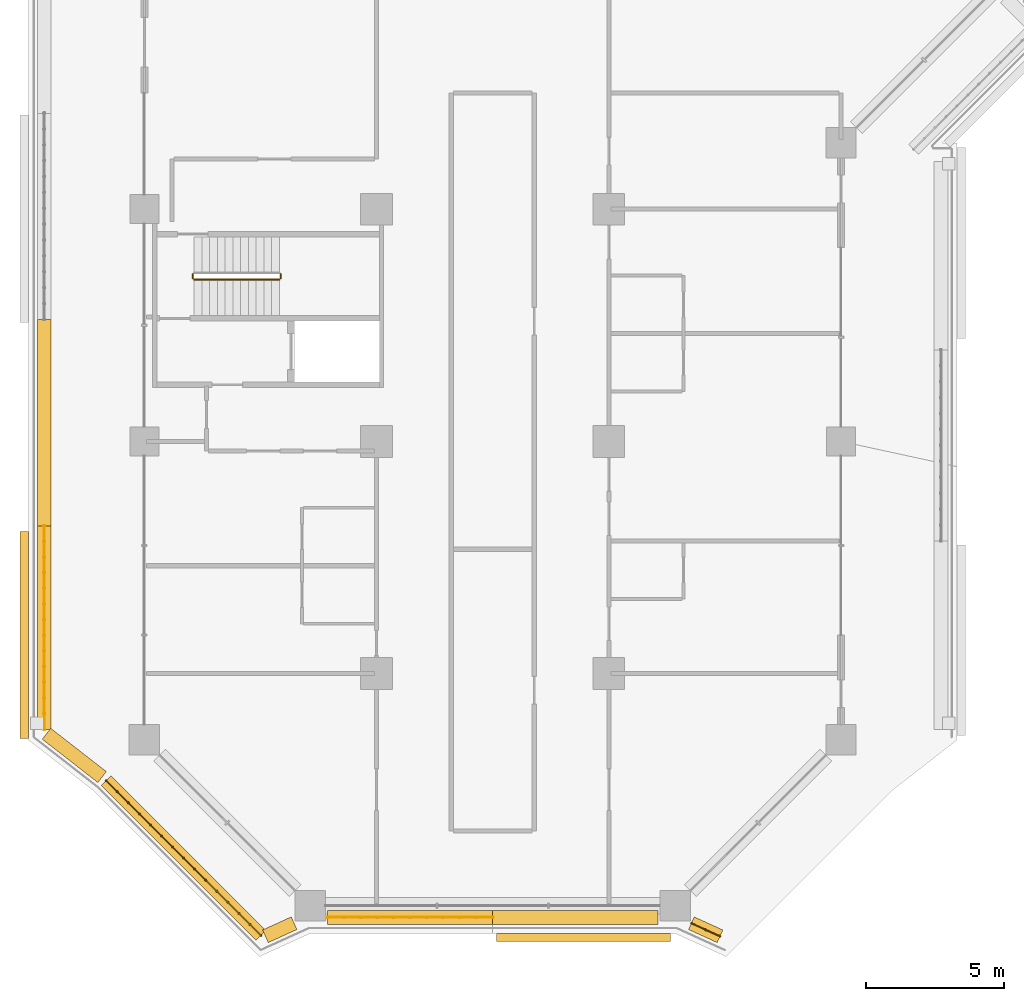
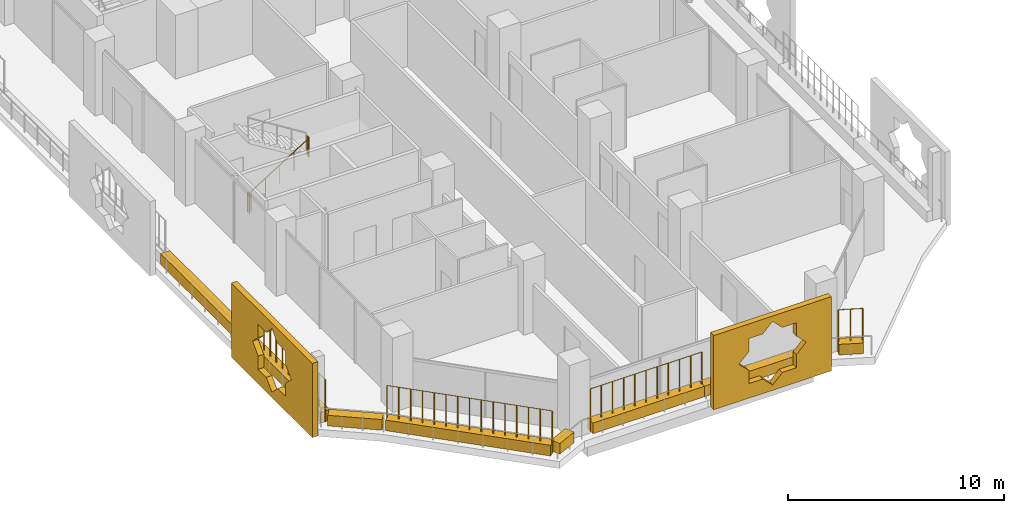
# One storey, part 19 of 25: 10 coverings, 7 railings.
"""IFC4 building model written with IfcOpenShell, lengths in metres."""

import ifcopenshell
import ifcopenshell.guid

model = None  # the IFC model being written
_history = None  # IfcOwnerHistory: only IFC2X3 demands one
_inside = {}  # id of a spatial element -> (the spatial element, [elements in it])
_under = {}  # id of a project, library or spatial element -> (it, [spatial elements below it])
_declared = {}  # id of a project -> (the project, [libraries it declares])
_typed = {}  # id of a type object -> (the type object, [elements of that type])
_made_of = {}  # id of a material, layer set ... -> (it, [elements and type objects made of it])


def new_model(schema):
    """Start an empty IFC model of exactly this schema.

    Asked for "IFC4X3", IfcOpenShell would pick the latest addendum, in which some entities
    have other attributes; the version numbers below select the first issue.
    IFC2X3 requires an IfcOwnerHistory on every rooted entity: one is made here for all.
    """
    global model, _history
    if schema == "IFC4X3":
        model = ifcopenshell.file(schema_version=(4, 3, 0, 0))
    else:
        model = ifcopenshell.file(schema=schema)
    _inside.clear()
    _under.clear()
    _declared.clear()
    _typed.clear()
    _made_of.clear()
    _history = None
    if model.schema == "IFC2X3":
        org = make("IfcOrganization", Name="unknown")
        user = make(
            "IfcPersonAndOrganization",
            ThePerson=make("IfcPerson", FamilyName="unknown"),
            TheOrganization=org,
        )
        app = make(
            "IfcApplication",
            ApplicationDeveloper=org,
            Version="unknown",
            ApplicationFullName="unknown",
            ApplicationIdentifier="unknown",
        )
        _history = make(
            "IfcOwnerHistory",
            OwningUser=user,
            OwningApplication=app,
            ChangeAction="ADDED",
            CreationDate=0,
        )
    return model


def make(cls, **values):
    """One entity of the class cls with the attributes given. An attribute that is None is left unset."""
    return model.create_entity(
        cls, **{name: value for name, value in values.items() if value is not None}
    )


def rooted(cls, **values):
    """An entity with a GlobalId (a new one), such as an element, a storey or a relation."""
    return make(cls, GlobalId=ifcopenshell.guid.new(), OwnerHistory=_history, **values)


def si_unit(unit_type, name, prefix=None):
    """IfcSIUnit, for example si_unit("LENGTHUNIT", "METRE", prefix="MILLI")."""
    return make("IfcSIUnit", UnitType=unit_type, Prefix=prefix, Name=name)


def assignment(units):
    """IfcUnitAssignment: the units of a project."""
    return None if units is None else make("IfcUnitAssignment", Units=units)


def point(xyz):
    """IfcCartesianPoint."""
    return None if xyz is None else make("IfcCartesianPoint", Coordinates=xyz)


def direction(xyz):
    """IfcDirection."""
    return None if xyz is None else make("IfcDirection", DirectionRatios=xyz)


def frame(location, z_axis=None, x_axis=None):
    """IfcAxis2Placement3D, a coordinate frame: its origin and axes. An axis left out is left unset."""
    return make(
        "IfcAxis2Placement3D",
        Location=point(location),
        Axis=direction(z_axis),
        RefDirection=direction(x_axis),
    )


def frame_2d(location, x_axis=None):
    """IfcAxis2Placement2D, a coordinate frame in the plane: its origin and x axis."""
    return make(
        "IfcAxis2Placement2D", Location=point(location), RefDirection=direction(x_axis)
    )


def origin():
    """The frame at (0, 0, 0) with its axes left unset."""
    return frame((0.0, 0.0, 0.0))


def origin_2d():
    """The frame at (0, 0) in the plane with its x axis left unset."""
    return frame_2d((0.0, 0.0))


def place(relative_to, where):
    """IfcLocalPlacement: puts the frame where relative to a parent placement (None: the world)."""
    return make(
        "IfcLocalPlacement", PlacementRelTo=relative_to, RelativePlacement=where
    )


def context(
    kind, dimensions, precision=None, world=None, true_north=None, identifier=None
):
    """IfcGeometricRepresentationContext, for example the 3D "Model" context."""
    return make(
        "IfcGeometricRepresentationContext",
        ContextIdentifier=identifier,
        ContextType=kind,
        CoordinateSpaceDimension=dimensions,
        Precision=precision,
        WorldCoordinateSystem=world,
        TrueNorth=true_north,
    )


def subcontext(parent, identifier, kind, view, scale=None):
    """IfcGeometricRepresentationSubContext, for example "Body" below "Model"."""
    return make(
        "IfcGeometricRepresentationSubContext",
        ContextIdentifier=identifier,
        ContextType=kind,
        ParentContext=parent,
        TargetScale=scale,
        TargetView=view,
    )


def project(units=None, contexts=None):
    """IfcProject with its units and contexts."""
    return rooted(
        "IfcProject",
        Name="project",
        RepresentationContexts=contexts,
        UnitsInContext=assignment(units),
    )


def spatial(cls, under=None, at=None, **own):
    """A site, building, storey or space (cls), placed at a placement, below another one or the project."""
    s = rooted(cls, ObjectPlacement=at, **own)
    if under is not None:
        _under.setdefault(under.id(), (under, []))[1].append(s)
    return s


def polyline(points):
    """IfcPolyline through the points."""
    return make("IfcPolyline", Points=[point(p) for p in points])


def profile(cls, at=None, kind="AREA", **sizes):
    """A parametric profile (cls). Its sizes go by their IFC names, for example OverallWidth=200.0."""
    return make(cls, ProfileType=kind, Position=at, **sizes)


def rectangle(**sizes):
    """IfcRectangleProfileDef."""
    return profile("IfcRectangleProfileDef", **sizes)


def circle(**sizes):
    """IfcCircleProfileDef."""
    return profile("IfcCircleProfileDef", **sizes)


def outline(outer, holes=None, kind="AREA"):
    """IfcArbitraryClosedProfileDef: a profile drawn as a closed curve; with holes, ...WithVoids."""
    if holes is None:
        return make("IfcArbitraryClosedProfileDef", ProfileType=kind, OuterCurve=outer)
    return make(
        "IfcArbitraryProfileDefWithVoids",
        ProfileType=kind,
        OuterCurve=outer,
        InnerCurves=holes,
    )


def extrude(swept, where, along, depth):
    """IfcExtrudedAreaSolid: the profile swept, set in the frame where, extruded along a direction by depth."""
    return make(
        "IfcExtrudedAreaSolid",
        SweptArea=swept,
        Position=where,
        ExtrudedDirection=direction(along),
        Depth=depth,
    )


def shape(context_of_items, identifier, shape_type, items):
    """IfcShapeRepresentation: the items that make up one representation, for example the "Body"."""
    return make(
        "IfcShapeRepresentation",
        ContextOfItems=context_of_items,
        RepresentationIdentifier=identifier,
        RepresentationType=shape_type,
        Items=items,
    )


def material(Name=None, Category=None):
    """IfcMaterial."""
    return make("IfcMaterial", Name=Name, Category=Category)


def material_profile(
    of_material, cross_section, Name=None, Category=None, Priority=None
):
    """IfcMaterialProfile: a cross section and its material."""
    return make(
        "IfcMaterialProfile",
        Name=Name,
        Material=of_material,
        Profile=cross_section,
        Priority=Priority,
        Category=Category,
    )


def profile_set(profiles, Name=None, composite=None):
    """IfcMaterialProfileSet."""
    return make(
        "IfcMaterialProfileSet",
        Name=Name,
        MaterialProfiles=profiles,
        CompositeProfile=composite,
    )


def made_of(thing, what):
    """Note that an element or type object is made of a material, layer set ...; save() writes the relation."""
    if what is not None:
        _made_of.setdefault(what.id(), (what, []))[1].append(thing)
    return thing


def type_object(cls, material=None, **own):
    """A type object (cls), such as IfcWallType, which elements share."""
    return made_of(rooted(cls, **own), material)


def element(
    cls,
    number,
    at=None,
    inside=None,
    cuts=None,
    type_object=None,
    material=None,
    context=None,
    identifier="Body",
    shape_type=None,
    held_by="IfcProductDefinitionShape",
    body=None,
    shapes=None,
    **own,
):
    """One element of the class cls, such as IfcWall. Its Tag is "e" and its number.

    at: its placement. inside: the storey or other place that contains it. cuts: it is an
    opening in that element (IfcRelVoidsElement). A single representation is given by context,
    identifier, shape_type and body (its items); several are given by shapes. held_by: the class
    of the entity that holds the representations. save() writes the other relations.
    """
    e = rooted(cls, Tag="e%d" % number, ObjectPlacement=at, **own)
    if body is not None:
        shapes = [shape(context, identifier, shape_type, body)]
    if shapes is not None:
        e.Representation = make(held_by, Representations=shapes)
    if inside is not None:
        _inside.setdefault(inside.id(), (inside, []))[1].append(e)
    if cuts is not None:
        rooted(
            "IfcRelVoidsElement", RelatingBuildingElement=cuts, RelatedOpeningElement=e
        )
    if type_object is not None:
        _typed.setdefault(type_object.id(), (type_object, []))[1].append(e)
    return made_of(e, material)


def aggregate(whole, parts):
    """IfcRelAggregates: a whole, such as a stair, and the parts it consists of."""
    return rooted("IfcRelAggregates", RelatingObject=whole, RelatedObjects=parts)


def save(model, path):
    """Write the relations noted so far, then the file.

    IfcRelAggregates (storeys below a building ...), IfcRelContainedInSpatialStructure (elements
    in a storey), IfcRelDefinesByType, IfcRelAssociatesMaterial and IfcRelDeclares: one each for
    every whole, place, type object, material and project.
    """
    for whole, parts in _under.values():
        aggregate(whole, parts)
    for where, things in _inside.values():
        rooted(
            "IfcRelContainedInSpatialStructure",
            RelatedElements=things,
            RelatingStructure=where,
        )
    for kind, things in _typed.values():
        rooted("IfcRelDefinesByType", RelatedObjects=things, RelatingType=kind)
    for what, things in _made_of.values():
        rooted("IfcRelAssociatesMaterial", RelatedObjects=things, RelatingMaterial=what)
    for by, libraries in _declared.values():
        rooted("IfcRelDeclares", RelatingContext=by, RelatedDefinitions=libraries)
    model.write(path)


model = new_model("IFC4")

# Units and contexts
model_context = context("Model", 3, precision=1e-05, world=origin(), true_north=direction((0.0, 1.0)))
body_context = subcontext(model_context, "Body", "Model", "MODEL_VIEW")
ifc_project = project(units=[si_unit("LENGTHUNIT", "METRE"), si_unit("AREAUNIT", "SQUARE_METRE"), si_unit("VOLUMEUNIT", "CUBIC_METRE"), si_unit("PLANEANGLEUNIT", "RADIAN"), si_unit("MASSUNIT", "GRAM", prefix="KILO")], contexts=[model_context])

# Site, building, storey
site_placement = place(None, origin())
site = spatial("IfcSite", under=ifc_project, at=site_placement, CompositionType="ELEMENT")
building_placement = place(site_placement, origin())
building = spatial("IfcBuilding", under=site, at=building_placement, Name="Kawkab Arch Medical Tower", CompositionType="ELEMENT")
storey_placement = place(building_placement, frame((0.0, 0.0, 132.39990234375)))
storey = spatial("IfcBuildingStorey", under=building, at=storey_placement, Name="L30", CompositionType="ELEMENT", Elevation=132.39990234375)

# Coverings
ifc_material_1 = material(Name="Bronze anodised aluminium mashrabiya panel, eight-point star pattern", Category="aluminium")
ifc_material_profile_1 = material_profile(ifc_material_1, outline(polyline([(-3.14990234375, -2.10009765625), (3.14990234375, -2.10009765625), (3.14990234375, 2.10009765625), (-3.14990234375, 2.10009765625), (-3.14990234375, -2.10009765625)]), holes=[polyline([(1.800048828125, 0.0), (1.272705078125, 0.527099609375), (1.272705078125, 1.272705078125), (0.527099609375, 1.272705078125), (0.0, 1.800048828125), (-0.527099609375, 1.272705078125), (-1.272705078125, 1.272705078125), (-1.272705078125, 0.527099609375), (-1.800048828125, 0.0), (-1.272705078125, -0.527099609375), (-1.272705078125, -1.272705078125), (-0.527099609375, -1.272705078125), (0.0, -1.800048828125), (0.527099609375, -1.272705078125), (1.272705078125, -1.272705078125), (1.272705078125, -0.527099609375), (1.800048828125, 0.0)])]), Name="Mashrabiya panel 6300x4200")
ifc_profile_set_1 = profile_set([ifc_material_profile_1], Name="Bronze anodised aluminium mashrabiya panel, eight-point star pattern")
covering_type_1 = type_object("IfcCoveringType", Name="Mashrabiya panel 6300 x 4200", PredefinedType="USERDEFINED", material=ifc_profile_set_1)
covering_1_placement = place(storey_placement, frame((15.881103515625, -59.800048828125, 1.7001953125), z_axis=(0.0, -1.0, 0.0), x_axis=(1.0, 0.0, 0.0)))
element("IfcCovering", 1, at=covering_1_placement, inside=storey, type_object=covering_type_1, Name="Mashrabiya panel L30.LOG-01-01.1", ObjectType="SCREEN", PredefinedType="USERDEFINED", context=body_context, shape_type="SweptSolid", body=[
    extrude(outline(polyline([(-3.14990234375, -2.10009765625), (3.14990234375, -2.10009765625), (3.14990234375, 2.10009765625), (-3.14990234375, 2.10009765625), (-3.14990234375, -2.10009765625)]), holes=[polyline([(1.800048828125, 0.0), (1.272705078125, 0.527099609375), (1.272705078125, 1.272705078125), (0.527099609375, 1.272705078125), (0.0, 1.800048828125), (-0.527099609375, 1.272705078125), (-1.272705078125, 1.272705078125), (-1.272705078125, 0.527099609375), (-1.800048828125, 0.0), (-1.272705078125, -0.527099609375), (-1.272705078125, -1.272705078125), (-0.527099609375, -1.272705078125), (0.0, -1.800048828125), (0.527099609375, -1.272705078125), (1.272705078125, -1.272705078125), (1.272705078125, -0.527099609375), (1.800048828125, 0.0)])]), origin(), (0.0, 0.0, 1.0), 0.300048828125),
])
ifc_material_2 = material(Name="Bronze anodised aluminium mashrabiya panel, eight-point star pattern", Category="aluminium")
ifc_material_profile_2 = material_profile(ifc_material_2, outline(polyline([(-3.75, -2.10009765625), (3.75, -2.10009765625), (3.75, 2.10009765625), (-3.75, 2.10009765625), (-3.75, -2.10009765625)]), holes=[polyline([(1.800048828125, 0.0), (1.272705078125, 0.527099609375), (1.272705078125, 1.272705078125), (0.527099609375, 1.272705078125), (0.0, 1.800048828125), (-0.527099609375, 1.272705078125), (-1.272705078125, 1.272705078125), (-1.272705078125, 0.527099609375), (-1.800048828125, 0.0), (-1.272705078125, -0.527099609375), (-1.272705078125, -1.272705078125), (-0.527099609375, -1.272705078125), (0.0, -1.800048828125), (0.527099609375, -1.272705078125), (1.272705078125, -1.272705078125), (1.272705078125, -0.527099609375), (1.800048828125, 0.0)])]), Name="Mashrabiya panel 7500x4200")
ifc_profile_set_2 = profile_set([ifc_material_profile_2], Name="Bronze anodised aluminium mashrabiya panel, eight-point star pattern")
covering_type_2 = type_object("IfcCoveringType", Name="Mashrabiya panel 7500 x 4200", PredefinedType="USERDEFINED", material=ifc_profile_set_2)
covering_2_placement = place(storey_placement, frame((-4.199951171875, -49.00439453125, 1.7001953125), z_axis=(-1.0, 0.0, 0.0), x_axis=(0.0, -1.0, 0.0)))
element("IfcCovering", 2, at=covering_2_placement, inside=storey, type_object=covering_type_2, Name="Mashrabiya panel L30.LOG-01-01.2", ObjectType="SCREEN", PredefinedType="USERDEFINED", context=body_context, shape_type="SweptSolid", body=[
    extrude(outline(polyline([(-3.75, -2.10009765625), (3.75, -2.10009765625), (3.75, 2.10009765625), (-3.75, 2.10009765625), (-3.75, -2.10009765625)]), holes=[polyline([(1.800048828125, 0.0), (1.272705078125, 0.527099609375), (1.272705078125, 1.272705078125), (0.527099609375, 1.272705078125), (0.0, 1.800048828125), (-0.527099609375, 1.272705078125), (-1.272705078125, 1.272705078125), (-1.272705078125, 0.527099609375), (-1.800048828125, 0.0), (-1.272705078125, -0.527099609375), (-1.272705078125, -1.272705078125), (-0.527099609375, -1.272705078125), (0.0, -1.800048828125), (0.527099609375, -1.272705078125), (1.272705078125, -1.272705078125), (1.272705078125, -0.527099609375), (1.800048828125, 0.0)])]), origin(), (0.0, 0.0, 1.0), 0.300048828125),
])
ifc_material_3 = material(Name="Planting soil in a precast trough", Category="concrete")
ifc_material_profile_3 = material_profile(ifc_material_3, rectangle(XDim=0.5, YDim=0.60009765625, at=origin_2d()), Name="Trough 500x600")
ifc_profile_set_3 = profile_set([ifc_material_profile_3], Name="Planting soil in a precast trough")
covering_type_3 = type_object("IfcCoveringType", Name="Planter trough 500 x 600", PredefinedType="USERDEFINED", material=ifc_profile_set_3)
covering_3_placement = place(storey_placement, frame((20.821044921875, -59.902099609375, 0.300048828125), z_axis=(-0.909821891123, 0.414998947508, 0.0), x_axis=(-0.414998947508, -0.909821891123, 0.0)))
element("IfcCovering", 3, at=covering_3_placement, inside=storey, type_object=covering_type_3, Name="Planter L30.LOG-01-01.1", ObjectType="PLANTER", PredefinedType="USERDEFINED", context=body_context, shape_type="SweptSolid", body=[
    extrude(rectangle(XDim=0.5, YDim=0.60009765625, at=origin_2d()), origin(), (0.0, 0.0, 1.0), 1.1376953125),
])
covering_4_placement = place(storey_placement, frame((18.570068359375, -59.219970703125, 0.300048828125), z_axis=(-1.0, 0.0, 0.0), x_axis=(0.0, -1.0, 0.0)))
element("IfcCovering", 4, at=covering_4_placement, inside=storey, type_object=covering_type_3, Name="Planter L30.LOG-01-01.2", ObjectType="PLANTER", PredefinedType="USERDEFINED", context=body_context, shape_type="SweptSolid", body=[
    extrude(rectangle(XDim=0.5, YDim=0.60009765625, at=origin_2d()), origin(), (0.0, 0.0, 1.0), 5.969970703125),
])
covering_5_placement = place(storey_placement, frame((12.60009765625, -59.219970703125, 0.300048828125), z_axis=(-1.0, 0.0, 0.0), x_axis=(0.0, -1.0, 0.0)))
element("IfcCovering", 5, at=covering_5_placement, inside=storey, type_object=covering_type_3, Name="Planter L30.LOG-01-01.3", ObjectType="PLANTER", PredefinedType="USERDEFINED", context=body_context, shape_type="SweptSolid", body=[
    extrude(rectangle(XDim=0.5, YDim=0.60009765625, at=origin_2d()), origin(), (0.0, 0.0, 1.0), 5.97021484375),
])
covering_6_placement = place(storey_placement, frame((5.4140625, -59.429931640625, 0.300048828125), z_axis=(-0.909821891123, -0.414998947508, 0.0), x_axis=(0.414998947508, -0.909821891123, 0.0)))
element("IfcCovering", 6, at=covering_6_placement, inside=storey, type_object=covering_type_3, Name="Planter L30.LOG-01-01.4", ObjectType="PLANTER", PredefinedType="USERDEFINED", context=body_context, shape_type="SweptSolid", body=[
    extrude(rectangle(XDim=0.5, YDim=0.60009765625, at=origin_2d()), origin(), (0.0, 0.0, 1.0), 1.1376953125),
])
covering_7_placement = place(storey_placement, frame((4.217041015625, -59.873046875, 0.300048828125), z_axis=(-0.707106781187, 0.707106781187, 0.0), x_axis=(-0.707106781187, -0.707106781187, 0.0)))
element("IfcCovering", 7, at=covering_7_placement, inside=storey, type_object=covering_type_3, Name="Planter L30.LOG-01-01.5", ObjectType="PLANTER", PredefinedType="USERDEFINED", context=body_context, shape_type="SweptSolid", body=[
    extrude(rectangle(XDim=0.5, YDim=0.60009765625, at=origin_2d()), origin(), (0.0, 0.0, 1.0), 7.919677734375),
])
covering_8_placement = place(storey_placement, frame((-1.531982421875, -54.14111328125, 0.300048828125), z_axis=(-0.789228258436, 0.614099956103, 0.0), x_axis=(-0.614099956103, -0.789228258436, 0.0)))
element("IfcCovering", 8, at=covering_8_placement, inside=storey, type_object=covering_type_3, Name="Planter L30.LOG-01-01.6", ObjectType="PLANTER", PredefinedType="USERDEFINED", context=body_context, shape_type="SweptSolid", body=[
    extrude(rectangle(XDim=0.5, YDim=0.60009765625, at=origin_2d()), origin(), (0.0, 0.0, 1.0), 2.545654296875),
])
covering_9_placement = place(storey_placement, frame((-3.6201171875, -52.416015625, 0.300048828125), z_axis=(0.0, 1.0, 0.0), x_axis=(-1.0, 0.0, 0.0)))
element("IfcCovering", 9, at=covering_9_placement, inside=storey, type_object=covering_type_3, Name="Planter L30.LOG-01-01.7", ObjectType="PLANTER", PredefinedType="USERDEFINED", context=body_context, shape_type="SweptSolid", body=[
    extrude(rectangle(XDim=0.5, YDim=0.60009765625, at=origin_2d()), origin(), (0.0, 0.0, 1.0), 7.361083984375),
])
covering_10_placement = place(storey_placement, frame((-3.6201171875, -45.054931640625, 0.300048828125), z_axis=(0.0, 1.0, 0.0), x_axis=(-1.0, 0.0, 0.0)))
element("IfcCovering", 10, at=covering_10_placement, inside=storey, type_object=covering_type_3, Name="Planter L30.LOG-01-01.8", ObjectType="PLANTER", PredefinedType="USERDEFINED", context=body_context, shape_type="SweptSolid", body=[
    extrude(rectangle(XDim=0.5, YDim=0.60009765625, at=origin_2d()), origin(), (0.0, 0.0, 1.0), 7.4619140625),
])

# Railings
ifc_material_4 = material(Name="Bronze anodised aluminium trellis for climbing plants", Category="aluminium")
railing_type_1 = type_object("IfcRailingType", Name="Planting trellis 2400", PredefinedType="USERDEFINED", material=ifc_material_4)
railing_1_placement = place(storey_placement, frame((20.821044921875, -59.902099609375, 0.0)))
element("IfcRailing", 11, at=railing_1_placement, inside=storey, type_object=railing_type_1, Name="Planting trellis L30.LOG-01-01.1", ObjectType="TRELLIS", PredefinedType="USERDEFINED", context=body_context, shape_type="SweptSolid", body=[
    extrude(circle(Radius=0.01513671875, at=origin_2d()), frame((0.0, 0.0, 2.384765625), z_axis=(-0.909821891123, 0.414998947508, 0.0), x_axis=(-0.414998947508, -0.909821891123, 0.0)), (0.0, 0.0, 1.0), 1.1376953125),
    extrude(circle(Radius=0.030029296875, at=origin_2d()), origin(), (0.0, 0.0, 1.0), 2.369873046875),
    extrude(circle(Radius=0.030029296875, at=origin_2d()), frame((-0.517578125, 0.236083984375, 0.0)), (0.0, 0.0, 1.0), 2.369873046875),
    extrude(circle(Radius=0.030029296875, at=origin_2d()), frame((-1.03515625, 0.47216796875, 0.0)), (0.0, 0.0, 1.0), 2.369873046875),
])
railing_2_placement = place(storey_placement, frame((12.60009765625, -59.219970703125, 0.0)))
element("IfcRailing", 12, at=railing_2_placement, inside=storey, type_object=railing_type_1, Name="Planting trellis L30.LOG-01-01.3", ObjectType="TRELLIS", PredefinedType="USERDEFINED", context=body_context, shape_type="SweptSolid", body=[
    extrude(circle(Radius=0.01513671875, at=origin_2d()), frame((0.0, 0.0, 2.384765625), z_axis=(-1.0, 0.0, 0.0), x_axis=(0.0, -1.0, 0.0)), (0.0, 0.0, 1.0), 5.97021484375),
    extrude(circle(Radius=0.030029296875, at=origin_2d()), origin(), (0.0, 0.0, 1.0), 2.369873046875),
    extrude(circle(Radius=0.030029296875, at=origin_2d()), frame((-0.596923828125, 0.0, 0.0)), (0.0, 0.0, 1.0), 2.369873046875),
    extrude(circle(Radius=0.030029296875, at=origin_2d()), frame((-1.194091796875, 0.0, 0.0)), (0.0, 0.0, 1.0), 2.369873046875),
    extrude(circle(Radius=0.030029296875, at=origin_2d()), frame((-1.791015625, 0.0, 0.0)), (0.0, 0.0, 1.0), 2.369873046875),
    extrude(circle(Radius=0.030029296875, at=origin_2d()), frame((-2.38818359375, 0.0, 0.0)), (0.0, 0.0, 1.0), 2.369873046875),
    extrude(circle(Radius=0.030029296875, at=origin_2d()), frame((-2.985107421875, 0.0, 0.0)), (0.0, 0.0, 1.0), 2.369873046875),
    extrude(circle(Radius=0.030029296875, at=origin_2d()), frame((-3.58203125, 0.0, 0.0)), (0.0, 0.0, 1.0), 2.369873046875),
    extrude(circle(Radius=0.030029296875, at=origin_2d()), frame((-4.17919921875, 0.0, 0.0)), (0.0, 0.0, 1.0), 2.369873046875),
    extrude(circle(Radius=0.030029296875, at=origin_2d()), frame((-4.776123046875, 0.0, 0.0)), (0.0, 0.0, 1.0), 2.369873046875),
    extrude(circle(Radius=0.030029296875, at=origin_2d()), frame((-5.373291015625, 0.0, 0.0)), (0.0, 0.0, 1.0), 2.369873046875),
    extrude(circle(Radius=0.030029296875, at=origin_2d()), frame((-5.97021484375, 0.0, 0.0)), (0.0, 0.0, 1.0), 2.369873046875),
])
railing_3_placement = place(storey_placement, frame((4.217041015625, -59.873046875, 0.0)))
element("IfcRailing", 13, at=railing_3_placement, inside=storey, type_object=railing_type_1, Name="Planting trellis L30.LOG-01-01.5", ObjectType="TRELLIS", PredefinedType="USERDEFINED", context=body_context, shape_type="SweptSolid", body=[
    extrude(circle(Radius=0.01513671875, at=origin_2d()), frame((0.0, 0.0, 2.384765625), z_axis=(-0.707106781187, 0.707106781187, 0.0), x_axis=(-0.707106781187, -0.707106781187, 0.0)), (0.0, 0.0, 1.0), 7.919677734375),
    extrude(circle(Radius=0.030029296875, at=origin_2d()), origin(), (0.0, 0.0, 1.0), 2.369873046875),
    extrude(circle(Radius=0.030029296875, at=origin_2d()), frame((-0.39990234375, 0.39990234375, 0.0)), (0.0, 0.0, 1.0), 2.369873046875),
    extrude(circle(Radius=0.030029296875, at=origin_2d()), frame((-0.800048828125, 0.800048828125, 0.0)), (0.0, 0.0, 1.0), 2.369873046875),
    extrude(circle(Radius=0.030029296875, at=origin_2d()), frame((-1.199951171875, 1.199951171875, 0.0)), (0.0, 0.0, 1.0), 2.369873046875),
    extrude(circle(Radius=0.030029296875, at=origin_2d()), frame((-1.60009765625, 1.60009765625, 0.0)), (0.0, 0.0, 1.0), 2.369873046875),
    extrude(circle(Radius=0.030029296875, at=origin_2d()), frame((-2.0, 2.0, 0.0)), (0.0, 0.0, 1.0), 2.369873046875),
    extrude(circle(Radius=0.030029296875, at=origin_2d()), frame((-2.400146484375, 2.400146484375, 0.0)), (0.0, 0.0, 1.0), 2.369873046875),
    extrude(circle(Radius=0.030029296875, at=origin_2d()), frame((-2.800048828125, 2.800048828125, 0.0)), (0.0, 0.0, 1.0), 2.369873046875),
    extrude(circle(Radius=0.030029296875, at=origin_2d()), frame((-3.199951171875, 3.199951171875, 0.0)), (0.0, 0.0, 1.0), 2.369873046875),
    extrude(circle(Radius=0.030029296875, at=origin_2d()), frame((-3.60009765625, 3.60009765625, 0.0)), (0.0, 0.0, 1.0), 2.369873046875),
    extrude(circle(Radius=0.030029296875, at=origin_2d()), frame((-4.0, 4.0, 0.0)), (0.0, 0.0, 1.0), 2.369873046875),
    extrude(circle(Radius=0.030029296875, at=origin_2d()), frame((-4.400146484375, 4.400146484375, 0.0)), (0.0, 0.0, 1.0), 2.369873046875),
    extrude(circle(Radius=0.030029296875, at=origin_2d()), frame((-4.800048828125, 4.800048828125, 0.0)), (0.0, 0.0, 1.0), 2.369873046875),
    extrude(circle(Radius=0.030029296875, at=origin_2d()), frame((-5.2001953125, 5.2001953125, 0.0)), (0.0, 0.0, 1.0), 2.369873046875),
    extrude(circle(Radius=0.030029296875, at=origin_2d()), frame((-5.60009765625, 5.60009765625, 0.0)), (0.0, 0.0, 1.0), 2.369873046875),
])
railing_4_placement = place(storey_placement, frame((-3.6201171875, -52.416015625, 0.0)))
element("IfcRailing", 14, at=railing_4_placement, inside=storey, type_object=railing_type_1, Name="Planting trellis L30.LOG-01-01.7", ObjectType="TRELLIS", PredefinedType="USERDEFINED", context=body_context, shape_type="SweptSolid", body=[
    extrude(circle(Radius=0.01513671875, at=origin_2d()), frame((0.0, 0.0, 2.384765625), z_axis=(0.0, 1.0, 0.0), x_axis=(-1.0, 0.0, 0.0)), (0.0, 0.0, 1.0), 7.361083984375),
    extrude(circle(Radius=0.030029296875, at=origin_2d()), origin(), (0.0, 0.0, 1.0), 2.369873046875),
    extrude(circle(Radius=0.030029296875, at=origin_2d()), frame((0.0, 0.566162109375, 0.0)), (0.0, 0.0, 1.0), 2.369873046875),
    extrude(circle(Radius=0.030029296875, at=origin_2d()), frame((0.0, 1.132568359375, 0.0)), (0.0, 0.0, 1.0), 2.369873046875),
    extrude(circle(Radius=0.030029296875, at=origin_2d()), frame((0.0, 1.69873046875, 0.0)), (0.0, 0.0, 1.0), 2.369873046875),
    extrude(circle(Radius=0.030029296875, at=origin_2d()), frame((0.0, 2.264892578125, 0.0)), (0.0, 0.0, 1.0), 2.369873046875),
    extrude(circle(Radius=0.030029296875, at=origin_2d()), frame((0.0, 2.831298828125, 0.0)), (0.0, 0.0, 1.0), 2.369873046875),
    extrude(circle(Radius=0.030029296875, at=origin_2d()), frame((0.0, 3.3974609375, 0.0)), (0.0, 0.0, 1.0), 2.369873046875),
    extrude(circle(Radius=0.030029296875, at=origin_2d()), frame((0.0, 3.963623046875, 0.0)), (0.0, 0.0, 1.0), 2.369873046875),
    extrude(circle(Radius=0.030029296875, at=origin_2d()), frame((0.0, 4.52978515625, 0.0)), (0.0, 0.0, 1.0), 2.369873046875),
    extrude(circle(Radius=0.030029296875, at=origin_2d()), frame((0.0, 5.09619140625, 0.0)), (0.0, 0.0, 1.0), 2.369873046875),
    extrude(circle(Radius=0.030029296875, at=origin_2d()), frame((0.0, 5.662353515625, 0.0)), (0.0, 0.0, 1.0), 2.369873046875),
    extrude(circle(Radius=0.030029296875, at=origin_2d()), frame((0.0, 6.228515625, 0.0)), (0.0, 0.0, 1.0), 2.369873046875),
    extrude(circle(Radius=0.030029296875, at=origin_2d()), frame((0.0, 6.794921875, 0.0)), (0.0, 0.0, 1.0), 2.369873046875),
    extrude(circle(Radius=0.030029296875, at=origin_2d()), frame((0.0, 7.361083984375, 0.0)), (0.0, 0.0, 1.0), 2.369873046875),
])
ifc_material_5 = material(Name="Stainless steel", Category="steel")
railing_type_2 = type_object("IfcRailingType", Name="Stair guard 1100", PredefinedType="GUARDRAIL", material=ifc_material_5)
railing_5_placement = place(storey_placement, frame((1.800048828125, -36.14990234375, 0.175048828125)))
element("IfcRailing", 15, at=railing_5_placement, inside=storey, type_object=railing_type_2, Name="L30 ST6 stair guard 1", PredefinedType="GUARDRAIL", context=body_context, shape_type="SweptSolid", body=[
    extrude(circle(Radius=0.02392578125, at=origin_2d()), frame((0.0, 0.0, 1.076171875), z_axis=(0.847979421464, 0.0, 0.530029150871), x_axis=(0.0, 1.0, 0.0)), (0.0, 0.0, 1.0), 3.632080078125),
    extrude(circle(Radius=0.02099609375, at=origin_2d()), origin(), (0.0, 0.0, 1.0), 1.052001953125),
    extrude(circle(Radius=0.02099609375, at=origin_2d()), frame((0.77001953125, 0.0, 0.481201171875)), (0.0, 0.0, 1.0), 1.052001953125),
    extrude(circle(Radius=0.02099609375, at=origin_2d()), frame((1.5400390625, 0.0, 0.96240234375)), (0.0, 0.0, 1.0), 1.052001953125),
    extrude(circle(Radius=0.02099609375, at=origin_2d()), frame((2.309814453125, 0.0, 1.44384765625)), (0.0, 0.0, 1.0), 1.052001953125),
    extrude(circle(Radius=0.02099609375, at=origin_2d()), frame((3.079833984375, 0.0, 1.925048828125)), (0.0, 0.0, 1.0), 1.052001953125),
])
for number, where, name in (
    (16, (4.929931640625, -36.10009765625, 2.10009765625), "L30 ST6 stair guard 2"),
    (17, (1.75, -36.10009765625, 0.0), "L30 ST6 stair guard 4"),
):
    element("IfcRailing", number, at=place(storey_placement, frame(where)), inside=storey, type_object=railing_type_2, Name=name, PredefinedType="GUARDRAIL", context=body_context, shape_type="SweptSolid", body=[
        extrude(circle(Radius=0.02392578125, at=origin_2d()), frame((0.0, 0.0, 1.076171875), z_axis=(0.0, 1.0, 0.0), x_axis=(-1.0, 0.0, 0.0)), (0.0, 0.0, 1.0), 0.150146484375),
        extrude(circle(Radius=0.02099609375, at=origin_2d()), origin(), (0.0, 0.0, 1.0), 1.052001953125),
        extrude(circle(Radius=0.02099609375, at=origin_2d()), frame((0.0, 0.150146484375, 0.0)), (0.0, 0.0, 1.0), 1.052001953125),
    ])

save(model, "model.ifc")
